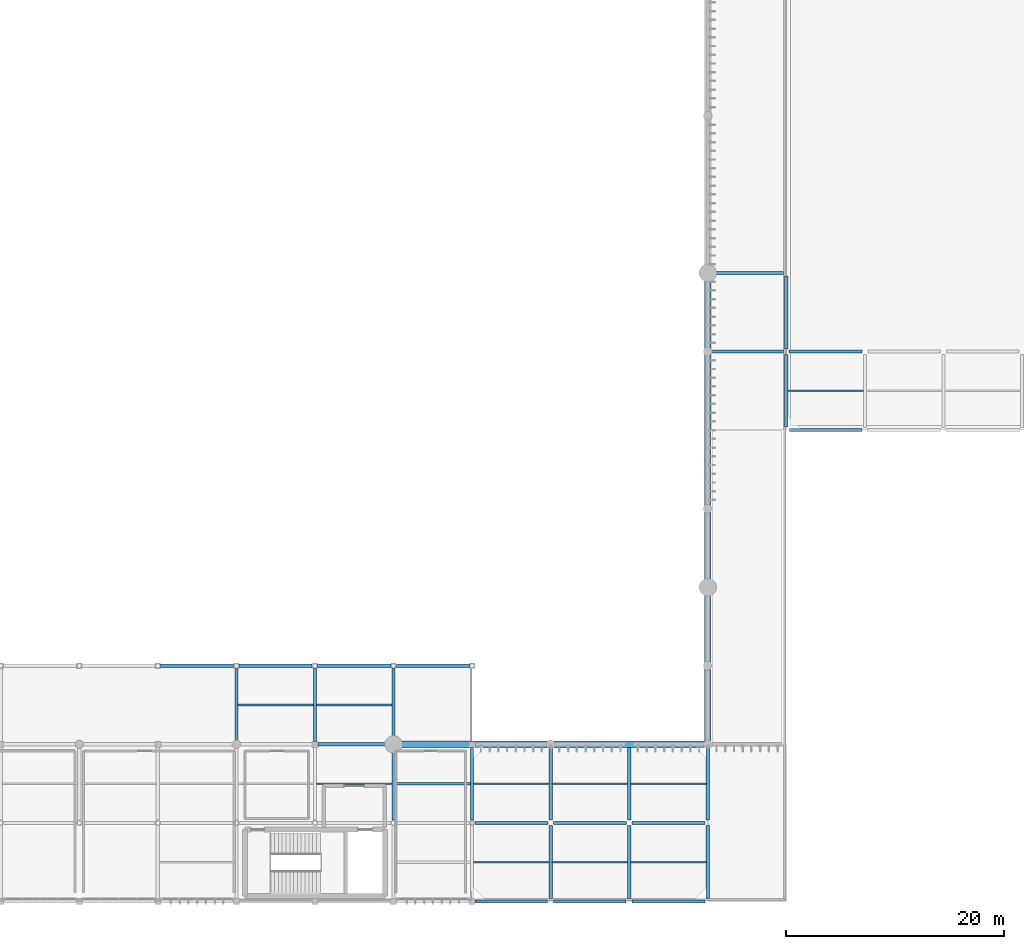
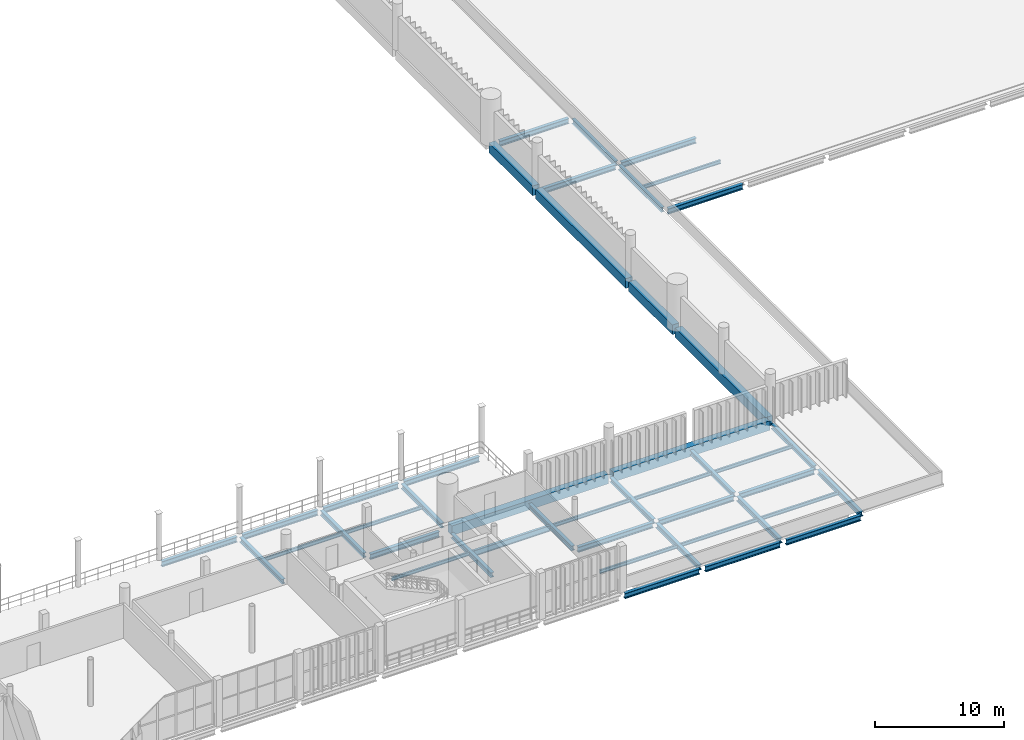
# One storey, part 31 of 81: 45 beams.
"""IFC4 building model written with IfcOpenShell, lengths in metres."""

from ifc_helpers import new_model, si_unit, direction, frame, origin, origin_2d, place, context, subcontext, project, spatial, rectangle, i_section, extrude, material, material_profile, profile_set, type_object, element, save


model = new_model("IFC4")

# Units and contexts
model_context = context("Model", 3, precision=1e-05, world=origin(), true_north=direction((0.0, 1.0)))
body_context = subcontext(model_context, "Body", "Model", "MODEL_VIEW")
ifc_project = project(units=[si_unit("LENGTHUNIT", "METRE"), si_unit("AREAUNIT", "SQUARE_METRE"), si_unit("VOLUMEUNIT", "CUBIC_METRE"), si_unit("PLANEANGLEUNIT", "RADIAN"), si_unit("MASSUNIT", "GRAM", prefix="KILO")], contexts=[model_context])

# Site, building, storey
site_placement = place(None, origin())
site = spatial("IfcSite", under=ifc_project, at=site_placement, CompositionType="ELEMENT")
building_placement = place(site_placement, origin())
building = spatial("IfcBuilding", under=site, at=building_placement, Name="Qandorah Velis Arena", CompositionType="ELEMENT")
storey_placement = place(building_placement, frame((0.0, 0.0, 18.60009765625)))
storey = spatial("IfcBuildingStorey", under=building, at=storey_placement, Name="L04", CompositionType="ELEMENT", Elevation=18.60009765625)

# Beams
ifc_material_1 = material(Name="Steel S355", Category="steel")
ifc_material_profile_1 = material_profile(ifc_material_1, i_section(OverallWidth=0.300048828125, OverallDepth=0.449951171875, WebThickness=0.013916015625, FlangeThickness=0.02587890625, FilletRadius=0.027099609375, at=origin_2d()), Name="HEB 450")
ifc_profile_set_1 = profile_set([ifc_material_profile_1], Name="Steel S355")
beam_type_1 = type_object("IfcBeamType", Name="STR-BM-HEB450", PredefinedType="BEAM", material=ifc_profile_set_1)
beam_1_placement = place(storey_placement, frame((72.0, 14.75, -0.4951171875), z_axis=(0.0, 1.0, 0.0), x_axis=(-1.0, 0.0, 0.0)))
element("IfcBeam", 1, at=beam_1_placement, inside=storey, type_object=beam_type_1, Name="Primary floor girder L04 Y-222", PredefinedType="BEAM", context=body_context, shape_type="SweptSolid", body=[
    extrude(i_section(OverallWidth=0.300048828125, OverallDepth=0.449951171875, WebThickness=0.013916015625, FlangeThickness=0.02587890625, FilletRadius=0.027099609375, at=origin_2d()), origin(), (0.0, 0.0, 1.0), 6.60009765625),
])
beam_2_placement = place(storey_placement, frame((79.199951171875, 14.675048828125, -0.4951171875), z_axis=(0.0, 1.0, 0.0), x_axis=(-1.0, 0.0, 0.0)))
element("IfcBeam", 2, at=beam_2_placement, inside=storey, type_object=beam_type_1, Name="Primary floor girder L04 Y-227", PredefinedType="BEAM", context=body_context, shape_type="SweptSolid", body=[
    extrude(i_section(OverallWidth=0.300048828125, OverallDepth=0.449951171875, WebThickness=0.013916015625, FlangeThickness=0.02587890625, FilletRadius=0.027099609375, at=origin_2d()), origin(), (0.0, 0.0, 1.0), 6.675048828125),
])
beam_3_placement = place(storey_placement, frame((86.39990234375, 7.449951171875, -0.4951171875), z_axis=(0.0, 1.0, 0.0), x_axis=(-1.0, 0.0, 0.0)))
element("IfcBeam", 3, at=beam_3_placement, inside=storey, type_object=beam_type_1, Name="Primary floor girder L04 Y-231", PredefinedType="BEAM", context=body_context, shape_type="SweptSolid", body=[
    extrude(i_section(OverallWidth=0.300048828125, OverallDepth=0.449951171875, WebThickness=0.013916015625, FlangeThickness=0.02587890625, FilletRadius=0.027099609375, at=origin_2d()), origin(), (0.0, 0.0, 1.0), 6.199951171875),
])
beam_4_placement = place(storey_placement, frame((86.39990234375, 15.14990234375, -0.4951171875), z_axis=(0.0, 1.0, 0.0), x_axis=(-1.0, 0.0, 0.0)))
element("IfcBeam", 4, at=beam_4_placement, inside=storey, type_object=beam_type_1, Name="Primary floor girder L04 Y-232", PredefinedType="BEAM", context=body_context, shape_type="SweptSolid", body=[
    extrude(i_section(OverallWidth=0.300048828125, OverallDepth=0.449951171875, WebThickness=0.013916015625, FlangeThickness=0.02587890625, FilletRadius=0.027099609375, at=origin_2d()), origin(), (0.0, 0.0, 1.0), 6.2001953125),
])
for number, where, z_axis, x_axis, name in (
    (5, (93.60009765625, 7.449951171875, -0.4951171875), (0.0, 1.0, 0.0), (-1.0, 0.0, 0.0), "Primary floor girder L04 Y-237"),
    (6, (100.800048828125, 0.27490234375, -0.4951171875), (0.0, 1.0, 0.0), (-1.0, 0.0, 0.0), "Primary floor girder L04 Y-240"),
):
    element("IfcBeam", number, at=place(storey_placement, frame(where, z_axis=z_axis, x_axis=x_axis)), inside=storey, type_object=beam_type_1, Name=name, PredefinedType="BEAM", context=body_context, shape_type="SweptSolid", body=[
        extrude(i_section(OverallWidth=0.300048828125, OverallDepth=0.449951171875, WebThickness=0.013916015625, FlangeThickness=0.02587890625, FilletRadius=0.027099609375, at=origin_2d()), origin(), (0.0, 0.0, 1.0), 6.675048828125),
    ])
beam_5_placement = place(storey_placement, frame((100.800048828125, 7.449951171875, -0.4951171875), z_axis=(0.0, 1.0, 0.0), x_axis=(-1.0, 0.0, 0.0)))
element("IfcBeam", 7, at=beam_5_placement, inside=storey, type_object=beam_type_1, Name="Primary floor girder L04 Y-241", PredefinedType="BEAM", context=body_context, shape_type="SweptSolid", body=[
    extrude(i_section(OverallWidth=0.300048828125, OverallDepth=0.449951171875, WebThickness=0.013916015625, FlangeThickness=0.02587890625, FilletRadius=0.027099609375, at=origin_2d()), origin(), (0.0, 0.0, 1.0), 6.60009765625),
])
for number, where, z_axis, x_axis, name in (
    (8, (108.0, 0.27490234375, -0.4951171875), (0.0, 1.0, 0.0), (-1.0, 0.0, 0.0), "Primary floor girder L04 Y-243"),
    (9, (108.0, 7.449951171875, -0.4951171875), (0.0, 1.0, 0.0), (-1.0, 0.0, 0.0), "Primary floor girder L04 Y-244"),
    (10, (115.199951171875, 0.27490234375, -0.4951171875), (0.0, 1.0, 0.0), (-1.0, 0.0, 0.0), "Primary floor girder L04 Y-247"),
):
    element("IfcBeam", number, at=place(storey_placement, frame(where, z_axis=z_axis, x_axis=x_axis)), inside=storey, type_object=beam_type_1, Name=name, PredefinedType="BEAM", context=body_context, shape_type="SweptSolid", body=[
        extrude(i_section(OverallWidth=0.300048828125, OverallDepth=0.449951171875, WebThickness=0.013916015625, FlangeThickness=0.02587890625, FilletRadius=0.027099609375, at=origin_2d()), origin(), (0.0, 0.0, 1.0), 6.675048828125),
    ])
beam_6_placement = place(storey_placement, frame((115.199951171875, 7.449951171875, -0.4951171875), z_axis=(0.0, 1.0, 0.0), x_axis=(-1.0, 0.0, 0.0)))
element("IfcBeam", 11, at=beam_6_placement, inside=storey, type_object=beam_type_1, Name="Primary floor girder L04 Y-248", PredefinedType="BEAM", context=body_context, shape_type="SweptSolid", body=[
    extrude(i_section(OverallWidth=0.300048828125, OverallDepth=0.449951171875, WebThickness=0.013916015625, FlangeThickness=0.02587890625, FilletRadius=0.027099609375, at=origin_2d()), origin(), (0.0, 0.0, 1.0), 6.60009765625),
])
beam_7_placement = place(storey_placement, frame((122.39990234375, 43.47509765625, -0.4951171875), z_axis=(0.0, 1.0, 0.0), x_axis=(-1.0, 0.0, 0.0)))
element("IfcBeam", 12, at=beam_7_placement, inside=storey, type_object=beam_type_1, Name="Primary floor girder L04 Y-251", PredefinedType="BEAM", context=body_context, shape_type="SweptSolid", body=[
    extrude(i_section(OverallWidth=0.300048828125, OverallDepth=0.449951171875, WebThickness=0.013916015625, FlangeThickness=0.02587890625, FilletRadius=0.027099609375, at=origin_2d()), origin(), (0.0, 0.0, 1.0), 6.6748046875),
])
beam_8_placement = place(storey_placement, frame((122.39990234375, 50.64990234375, -0.4951171875), z_axis=(0.0, 1.0, 0.0), x_axis=(-1.0, 0.0, 0.0)))
element("IfcBeam", 13, at=beam_8_placement, inside=storey, type_object=beam_type_1, Name="Primary floor girder L04 Y-252", PredefinedType="BEAM", context=body_context, shape_type="SweptSolid", body=[
    extrude(i_section(OverallWidth=0.300048828125, OverallDepth=0.449951171875, WebThickness=0.013916015625, FlangeThickness=0.02587890625, FilletRadius=0.027099609375, at=origin_2d()), origin(), (0.0, 0.0, 1.0), 6.675048828125),
])
ifc_material_profile_2 = material_profile(ifc_material_1, i_section(OverallWidth=0.300048828125, OverallDepth=0.5, WebThickness=0.014404296875, FlangeThickness=0.028076171875, FilletRadius=0.027099609375, at=origin_2d()), Name="HEB 500")
ifc_profile_set_2 = profile_set([ifc_material_profile_2], Name="Steel S355")
beam_type_2 = type_object("IfcBeamType", Name="STR-BM-HEB500", PredefinedType="BEAM", material=ifc_profile_set_2)
beam_9_placement = place(storey_placement, frame((93.875, 0.0, -0.52001953125), z_axis=(1.0, 0.0, 0.0), x_axis=(0.0, 1.0, 0.0)))
element("IfcBeam", 14, at=beam_9_placement, inside=storey, type_object=beam_type_2, Name="Primary floor girder L04 X-010", PredefinedType="BEAM", context=body_context, shape_type="SweptSolid", body=[
    extrude(i_section(OverallWidth=0.300048828125, OverallDepth=0.5, WebThickness=0.014404296875, FlangeThickness=0.028076171875, FilletRadius=0.027099609375, at=origin_2d()), origin(), (0.0, 0.0, 1.0), 6.64990234375),
])
for number, where, z_axis, x_axis, name in (
    (15, (101.074951171875, 0.0, -0.52001953125), (1.0, 0.0, 0.0), (0.0, 1.0, 0.0), "Primary floor girder L04 X-011"),
    (16, (108.27490234375, 0.0, -0.52001953125), (1.0, 0.0, 0.0), (0.0, 1.0, 0.0), "Primary floor girder L04 X-012"),
):
    element("IfcBeam", number, at=place(storey_placement, frame(where, z_axis=z_axis, x_axis=x_axis)), inside=storey, type_object=beam_type_2, Name=name, PredefinedType="BEAM", context=body_context, shape_type="SweptSolid", body=[
        extrude(i_section(OverallWidth=0.300048828125, OverallDepth=0.5, WebThickness=0.014404296875, FlangeThickness=0.028076171875, FilletRadius=0.027099609375, at=origin_2d()), origin(), (0.0, 0.0, 1.0), 6.650146484375),
    ])
for number, where, z_axis, x_axis, name in (
    (17, (93.85009765625, 7.199951171875, -0.52001953125), (1.0, 0.0, 0.0), (0.0, 1.0, 0.0), "Primary floor girder L04 X-022"),
    (18, (101.050048828125, 7.199951171875, -0.52001953125), (1.0, 0.0, 0.0), (0.0, 1.0, 0.0), "Primary floor girder L04 X-023"),
    (19, (108.25, 7.199951171875, -0.52001953125), (1.0, 0.0, 0.0), (0.0, 1.0, 0.0), "Primary floor girder L04 X-024"),
):
    element("IfcBeam", number, at=place(storey_placement, frame(where, z_axis=z_axis, x_axis=x_axis)), inside=storey, type_object=beam_type_2, Name=name, PredefinedType="BEAM", context=body_context, shape_type="SweptSolid", body=[
        extrude(i_section(OverallWidth=0.300048828125, OverallDepth=0.5, WebThickness=0.014404296875, FlangeThickness=0.028076171875, FilletRadius=0.027099609375, at=origin_2d()), origin(), (0.0, 0.0, 1.0), 6.699951171875),
    ])
beam_10_placement = place(storey_placement, frame((79.47509765625, 14.39990234375, -0.52001953125), z_axis=(1.0, 0.0, 0.0), x_axis=(0.0, 1.0, 0.0)))
element("IfcBeam", 20, at=beam_10_placement, inside=storey, type_object=beam_type_2, Name="Primary floor girder L04 X-033", PredefinedType="BEAM", context=body_context, shape_type="SweptSolid", body=[
    extrude(i_section(OverallWidth=0.300048828125, OverallDepth=0.5, WebThickness=0.014404296875, FlangeThickness=0.028076171875, FilletRadius=0.027099609375, at=origin_2d()), origin(), (0.0, 0.0, 1.0), 6.1748046875),
])
for number, where, z_axis, x_axis, name in (
    (21, (65.050048828125, 21.60009765625, -0.52001953125), (1.0, 0.0, 0.0), (0.0, 1.0, 0.0), "Primary floor girder L04 X-043"),
    (22, (72.25, 21.60009765625, -0.52001953125), (1.0, 0.0, 0.0), (0.0, 1.0, 0.0), "Primary floor girder L04 X-044"),
    (23, (79.449951171875, 21.60009765625, -0.52001953125), (1.0, 0.0, 0.0), (0.0, 1.0, 0.0), "Primary floor girder L04 X-045"),
):
    element("IfcBeam", number, at=place(storey_placement, frame(where, z_axis=z_axis, x_axis=x_axis)), inside=storey, type_object=beam_type_2, Name=name, PredefinedType="BEAM", context=body_context, shape_type="SweptSolid", body=[
        extrude(i_section(OverallWidth=0.300048828125, OverallDepth=0.5, WebThickness=0.014404296875, FlangeThickness=0.028076171875, FilletRadius=0.027099609375, at=origin_2d()), origin(), (0.0, 0.0, 1.0), 6.699951171875),
    ])
beam_11_placement = place(storey_placement, frame((86.64990234375, 21.60009765625, -0.52001953125), z_axis=(1.0, 0.0, 0.0), x_axis=(0.0, 1.0, 0.0)))
element("IfcBeam", 24, at=beam_11_placement, inside=storey, type_object=beam_type_2, Name="Primary floor girder L04 X-046", PredefinedType="BEAM", context=body_context, shape_type="SweptSolid", body=[
    extrude(i_section(OverallWidth=0.300048828125, OverallDepth=0.5, WebThickness=0.014404296875, FlangeThickness=0.028076171875, FilletRadius=0.027099609375, at=origin_2d()), origin(), (0.0, 0.0, 1.0), 6.7001953125),
])
beam_12_placement = place(storey_placement, frame((122.675048828125, 43.199951171875, -0.52001953125), z_axis=(1.0, 0.0, 0.0), x_axis=(0.0, 1.0, 0.0)))
element("IfcBeam", 25, at=beam_12_placement, inside=storey, type_object=beam_type_2, Name="Primary floor girder L04 X-055", PredefinedType="BEAM", context=body_context, shape_type="SweptSolid", body=[
    extrude(i_section(OverallWidth=0.300048828125, OverallDepth=0.5, WebThickness=0.014404296875, FlangeThickness=0.028076171875, FilletRadius=0.027099609375, at=origin_2d()), origin(), (0.0, 0.0, 1.0), 6.675048828125),
])
beam_13_placement = place(storey_placement, frame((115.550048828125, 50.39990234375, -0.52001953125), z_axis=(1.0, 0.0, 0.0), x_axis=(0.0, 1.0, 0.0)))
element("IfcBeam", 26, at=beam_13_placement, inside=storey, type_object=beam_type_2, Name="Primary floor girder L04 X-063", PredefinedType="BEAM", context=body_context, shape_type="SweptSolid", body=[
    extrude(i_section(OverallWidth=0.300048828125, OverallDepth=0.5, WebThickness=0.014404296875, FlangeThickness=0.028076171875, FilletRadius=0.027099609375, at=origin_2d()), origin(), (0.0, 0.0, 1.0), 6.599853515625),
])
beam_14_placement = place(storey_placement, frame((122.64990234375, 50.39990234375, -0.52001953125), z_axis=(1.0, 0.0, 0.0), x_axis=(0.0, 1.0, 0.0)))
element("IfcBeam", 27, at=beam_14_placement, inside=storey, type_object=beam_type_2, Name="Primary floor girder L04 X-064", PredefinedType="BEAM", context=body_context, shape_type="SweptSolid", body=[
    extrude(i_section(OverallWidth=0.300048828125, OverallDepth=0.5, WebThickness=0.014404296875, FlangeThickness=0.028076171875, FilletRadius=0.027099609375, at=origin_2d()), origin(), (0.0, 0.0, 1.0), 6.675048828125),
])
beam_15_placement = place(storey_placement, frame((115.949951171875, 57.60009765625, -0.52001953125), z_axis=(1.0, 0.0, 0.0), x_axis=(0.0, 1.0, 0.0)))
element("IfcBeam", 28, at=beam_15_placement, inside=storey, type_object=beam_type_2, Name="Primary floor girder L04 X-070", PredefinedType="BEAM", context=body_context, shape_type="SweptSolid", body=[
    extrude(i_section(OverallWidth=0.300048828125, OverallDepth=0.5, WebThickness=0.014404296875, FlangeThickness=0.028076171875, FilletRadius=0.027099609375, at=origin_2d()), origin(), (0.0, 0.0, 1.0), 6.175048828125),
])
ifc_material_profile_3 = material_profile(ifc_material_1, i_section(OverallWidth=0.159912109375, OverallDepth=0.330078125, WebThickness=0.007568359375, FlangeThickness=0.011474609375, FilletRadius=0.01806640625, at=origin_2d()), Name="IPE 330")
ifc_profile_set_3 = profile_set([ifc_material_profile_3], Name="Steel S355")
beam_type_3 = type_object("IfcBeamType", Name="STR-JST-IPE330", PredefinedType="JOIST", material=ifc_profile_set_3)
for number, where, z_axis, x_axis, name in (
    (29, (72.135009765625, 18.0, -0.43505859375), (1.0, 0.0, 0.0), (0.0, 1.0, 0.0), "Secondary floor joist L04-050"),
    (30, (79.3349609375, 10.800048828125, -0.43505859375), (1.0, 0.0, 0.0), (0.0, 1.0, 0.0), "Secondary floor joist L04-053"),
    (31, (79.3349609375, 18.0, -0.43505859375), (1.0, 0.0, 0.0), (0.0, 1.0, 0.0), "Secondary floor joist L04-054"),
    (32, (93.735107421875, 3.60009765625, -0.43505859375), (1.0, 0.0, 0.0), (0.0, 1.0, 0.0), "Secondary floor joist L04-061"),
    (33, (93.735107421875, 10.800048828125, -0.43505859375), (1.0, 0.0, 0.0), (0.0, 1.0, 0.0), "Secondary floor joist L04-062"),
    (34, (100.93505859375, 3.60009765625, -0.43505859375), (1.0, 0.0, 0.0), (0.0, 1.0, 0.0), "Secondary floor joist L04-064"),
    (35, (100.93505859375, 10.800048828125, -0.43505859375), (1.0, 0.0, 0.0), (0.0, 1.0, 0.0), "Secondary floor joist L04-065"),
    (36, (108.135009765625, 3.60009765625, -0.43505859375), (1.0, 0.0, 0.0), (0.0, 1.0, 0.0), "Secondary floor joist L04-067"),
    (37, (108.135009765625, 10.800048828125, -0.43505859375), (1.0, 0.0, 0.0), (0.0, 1.0, 0.0), "Secondary floor joist L04-068"),
):
    element("IfcBeam", number, at=place(storey_placement, frame(where, z_axis=z_axis, x_axis=x_axis)), inside=storey, type_object=beam_type_3, Name=name, PredefinedType="JOIST", context=body_context, shape_type="SweptSolid", body=[
        extrude(i_section(OverallWidth=0.159912109375, OverallDepth=0.330078125, WebThickness=0.007568359375, FlangeThickness=0.011474609375, FilletRadius=0.01806640625, at=origin_2d()), origin(), (0.0, 0.0, 1.0), 6.929931640625),
    ])
beam_16_placement = place(storey_placement, frame((122.534912109375, 46.800048828125, -0.43505859375), z_axis=(1.0, 0.0, 0.0), x_axis=(0.0, 1.0, 0.0)))
element("IfcBeam", 38, at=beam_16_placement, inside=storey, type_object=beam_type_3, Name="Secondary floor joist L04-071", PredefinedType="JOIST", context=body_context, shape_type="SweptSolid", body=[
    extrude(i_section(OverallWidth=0.159912109375, OverallDepth=0.330078125, WebThickness=0.007568359375, FlangeThickness=0.011474609375, FilletRadius=0.01806640625, at=origin_2d()), origin(), (0.0, 0.0, 1.0), 6.93017578125),
])
ifc_material_profile_4 = material_profile(ifc_material_1, i_section(OverallWidth=0.2099609375, OverallDepth=0.550048828125, WebThickness=0.010986328125, FlangeThickness=0.01708984375, FilletRadius=0.02392578125, at=origin_2d()), Name="IPE 550")
ifc_profile_set_4 = profile_set([ifc_material_profile_4], Name="Steel S355")
beam_type_4 = type_object("IfcBeamType", Name="STR-JST-IPE550", PredefinedType="JOIST", material=ifc_profile_set_4)
beam_17_placement = place(storey_placement, frame((86.534912109375, 10.800048828125, -0.545166015625), z_axis=(1.0, 0.0, 0.0), x_axis=(0.0, 1.0, 0.0)))
element("IfcBeam", 39, at=beam_17_placement, inside=storey, type_object=beam_type_4, Name="Secondary floor joist L04-058", PredefinedType="JOIST", context=body_context, shape_type="SweptSolid", body=[
    extrude(i_section(OverallWidth=0.2099609375, OverallDepth=0.550048828125, WebThickness=0.010986328125, FlangeThickness=0.01708984375, FilletRadius=0.02392578125, at=origin_2d()), origin(), (0.0, 0.0, 1.0), 6.93017578125),
])
ifc_material_2 = material(Name="Concrete C40/50", Category="concrete")
ifc_material_profile_5 = material_profile(ifc_material_2, rectangle(XDim=0.60009765625, YDim=0.89990234375, at=origin_2d()), Name="RC BM 600x900")
ifc_profile_set_5 = profile_set([ifc_material_profile_5], Name="Concrete C40/50")
beam_type_5 = type_object("IfcBeamType", Name="STR-RCBM-600X900", PredefinedType="BEAM", material=ifc_profile_set_5)
beam_18_placement = place(storey_placement, frame((115.199951171875, 14.6201171875, -0.4501953125), z_axis=(0.0, 1.0, 0.0), x_axis=(-1.0, 0.0, 0.0)))
element("IfcBeam", 40, at=beam_18_placement, inside=storey, type_object=beam_type_5, Name="Drum east ring beam L04-1", PredefinedType="BEAM", context=body_context, shape_type="SweptSolid", body=[
    extrude(rectangle(XDim=0.60009765625, YDim=0.89990234375, at=origin_2d()), origin(), (0.0, 0.0, 1.0), 13.9599609375),
])
beam_19_placement = place(storey_placement, frame((115.199951171875, 29.02001953125, -0.4501953125), z_axis=(0.0, 1.0, 0.0), x_axis=(-1.0, 0.0, 0.0)))
element("IfcBeam", 41, at=beam_19_placement, inside=storey, type_object=beam_type_5, Name="Drum east ring beam L04-2", PredefinedType="BEAM", context=body_context, shape_type="SweptSolid", body=[
    extrude(rectangle(XDim=0.60009765625, YDim=0.89990234375, at=origin_2d()), origin(), (0.0, 0.0, 1.0), 6.760009765625),
])
beam_20_placement = place(storey_placement, frame((115.199951171875, 36.219970703125, -0.4501953125), z_axis=(0.0, 1.0, 0.0), x_axis=(-1.0, 0.0, 0.0)))
element("IfcBeam", 42, at=beam_20_placement, inside=storey, type_object=beam_type_5, Name="Drum east ring beam L04-3", PredefinedType="BEAM", context=body_context, shape_type="SweptSolid", body=[
    extrude(rectangle(XDim=0.60009765625, YDim=0.89990234375, at=origin_2d()), origin(), (0.0, 0.0, 1.0), 13.9599609375),
])
beam_21_placement = place(storey_placement, frame((115.199951171875, 50.6201171875, -0.4501953125), z_axis=(0.0, 1.0, 0.0), x_axis=(-1.0, 0.0, 0.0)))
element("IfcBeam", 43, at=beam_21_placement, inside=storey, type_object=beam_type_5, Name="Drum east ring beam L04-4", PredefinedType="BEAM", context=body_context, shape_type="SweptSolid", body=[
    extrude(rectangle(XDim=0.60009765625, YDim=0.89990234375, at=origin_2d()), origin(), (0.0, 0.0, 1.0), 6.759765625),
])
for number, where, z_axis, x_axis, name in (
    (44, (86.6201171875, 14.39990234375, -0.4501953125), (1.0, 0.0, 0.0), (0.0, 1.0, 0.0), "Drum south ring beam L04-6"),
    (45, (101.02001953125, 14.39990234375, -0.4501953125), (1.0, 0.0, 0.0), (0.0, 1.0, 0.0), "Drum south ring beam L04-7"),
):
    element("IfcBeam", number, at=place(storey_placement, frame(where, z_axis=z_axis, x_axis=x_axis)), inside=storey, type_object=beam_type_5, Name=name, PredefinedType="BEAM", context=body_context, shape_type="SweptSolid", body=[
        extrude(rectangle(XDim=0.60009765625, YDim=0.89990234375, at=origin_2d()), origin(), (0.0, 0.0, 1.0), 13.9599609375),
    ])

save(model, "model.ifc")
